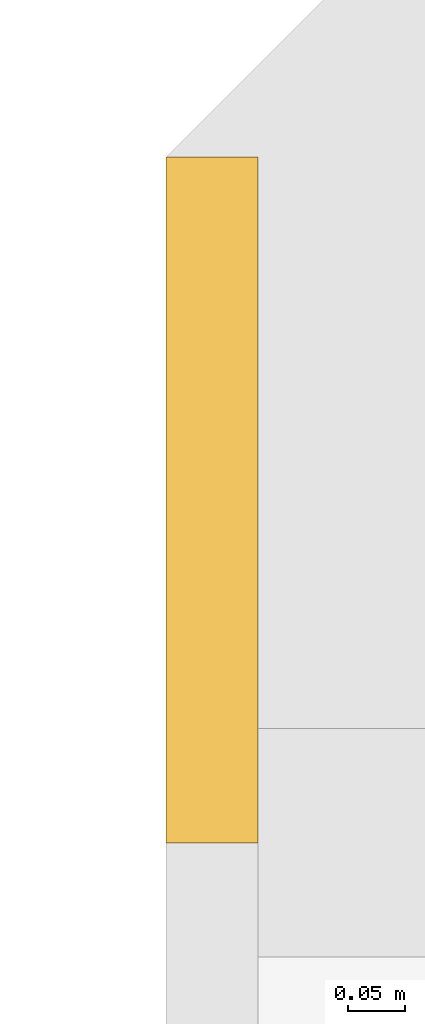
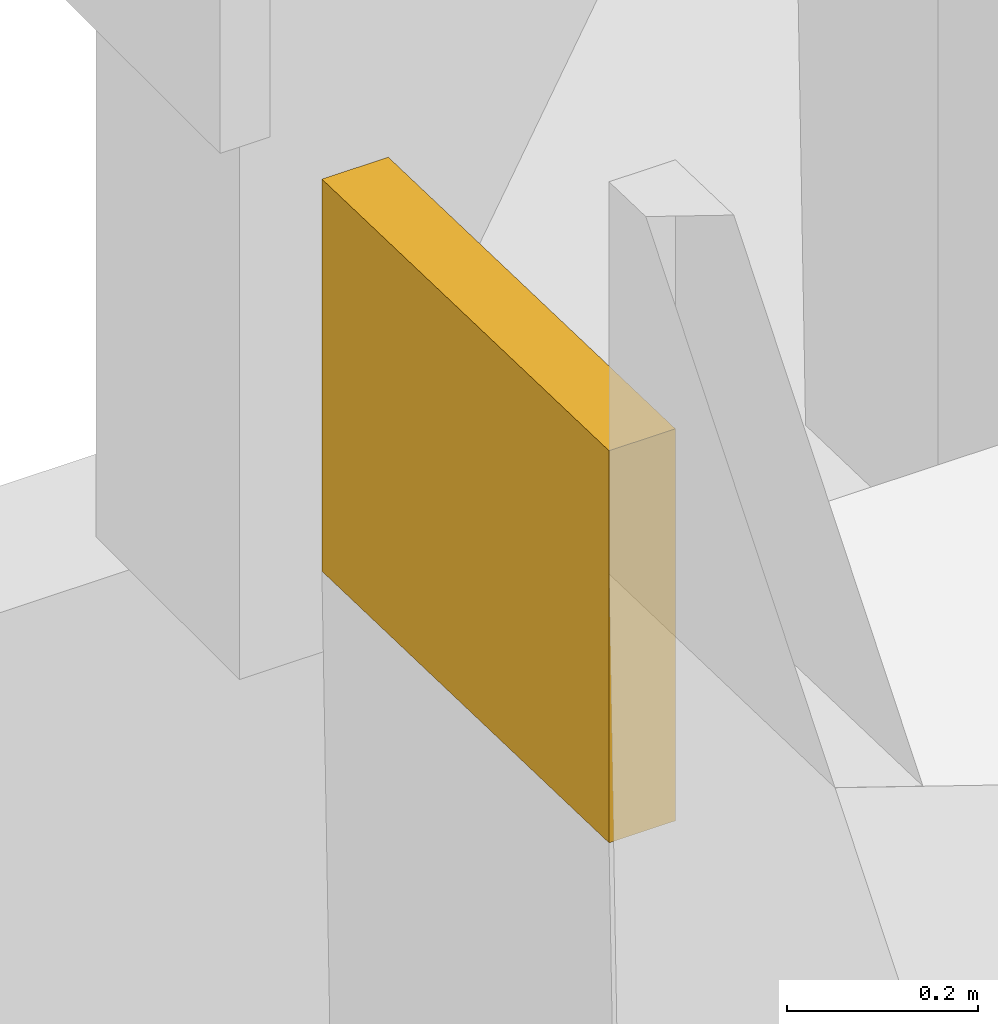
# One storey, part 28 of 29: 1 covering.
"""IFC4 building model written with IfcOpenShell, lengths in metres."""

from ifc_helpers import new_model, si_unit, direction, frame, origin, place, context, subcontext, project, spatial, polyline, outline, extrude, material, layer, layer_set, type_object, element, save


model = new_model("IFC4")

# Units and contexts
model_context = context("Model", 3, precision=1e-05, world=origin(), true_north=direction((0.0, 1.0)))
body_context = subcontext(model_context, "Body", "Model", "MODEL_VIEW")
ifc_project = project(units=[si_unit("LENGTHUNIT", "METRE"), si_unit("AREAUNIT", "SQUARE_METRE"), si_unit("VOLUMEUNIT", "CUBIC_METRE"), si_unit("PLANEANGLEUNIT", "RADIAN"), si_unit("MASSUNIT", "GRAM", prefix="KILO")], contexts=[model_context])

# Site, building, storey
site_placement = place(None, origin())
site = spatial("IfcSite", under=ifc_project, at=site_placement, CompositionType="ELEMENT")
building_placement = place(site_placement, origin())
building = spatial("IfcBuilding", under=site, at=building_placement, Name="Saffron Gate Tower", CompositionType="ELEMENT")
storey_placement = place(building_placement, frame((0.0, 0.0, 116.85009765625)))
storey = spatial("IfcBuildingStorey", under=building, at=storey_placement, Name="L27", CompositionType="ELEMENT", Elevation=116.85009765625)

# Covering
ifc_material = material(Name="Timber, thermally modified ash", Category="wood")
ifc_layer = layer(ifc_material, 0.080078125)
ifc_layer_set = layer_set([ifc_layer], Name="LD2 ledge planter trough")
covering_type = type_object("IfcCoveringType", Name="LD2 ledge planter trough", PredefinedType="CLADDING", material=ifc_layer_set)
covering_placement = place(storey_placement, frame((50.39990234375, 32.39990234375, 0.0595703125), z_axis=(-1.0, 0.0, 0.0), x_axis=(0.0, -0.999582742162, 0.028884971385)))
element("IfcCovering", 1, at=covering_placement, inside=storey, type_object=covering_type, Name="LEDGE planter trough", PredefinedType="CLADDING", context=body_context, shape_type="SweptSolid", body=[
    extrude(outline(polyline([(0.0, 0.0), (0.6001039136866089, 0.0), (0.614546399379222, 0.4997913710809928), (0.014442485692613144, 0.49979137108099286), (0.0, 0.0)])), origin(), (0.0, 0.0, -1.0), 0.080078125),
])

save(model, "model.ifc")
